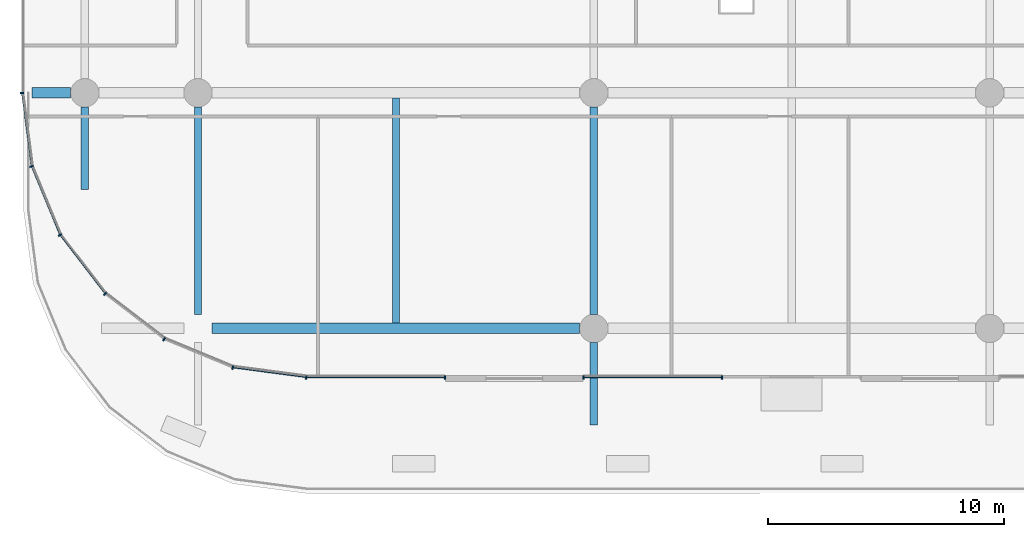
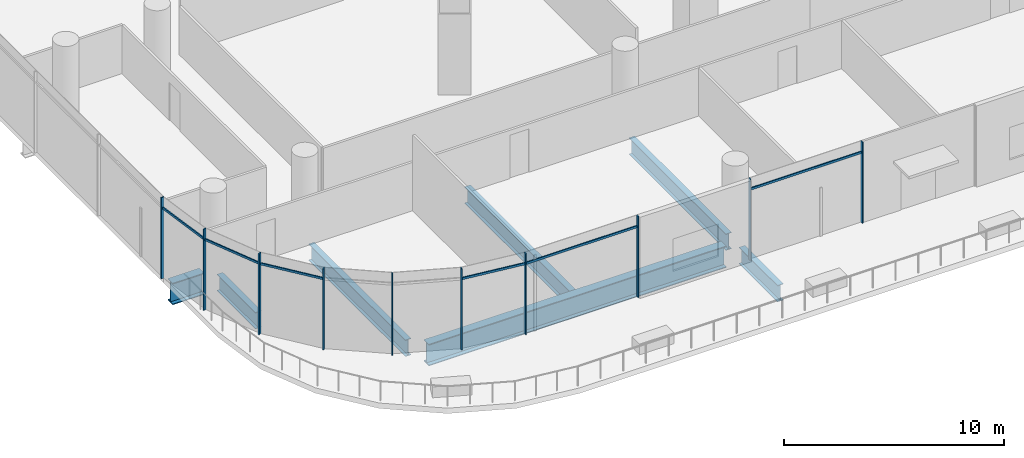
# One storey, part 2 of 43: 16 members, 7 beams, 1 element without a shape of its own.
"""IFC4 building model written with IfcOpenShell, lengths in metres."""

from ifc_helpers import new_model, si_unit, direction, frame, origin, origin_2d, place, context, subcontext, project, spatial, rectangle, i_section, extrude, material, material_profile, profile_set, type_object, element, aggregate, save


model = new_model("IFC4")

# Units and contexts
model_context = context("Model", 3, precision=1e-05, world=origin(), true_north=direction((0.0, 1.0)))
body_context = subcontext(model_context, "Body", "Model", "MODEL_VIEW")
ifc_project = project(units=[si_unit("LENGTHUNIT", "METRE"), si_unit("AREAUNIT", "SQUARE_METRE"), si_unit("VOLUMEUNIT", "CUBIC_METRE"), si_unit("PLANEANGLEUNIT", "RADIAN"), si_unit("MASSUNIT", "GRAM", prefix="KILO")], contexts=[model_context])

# Site, building, storey
site_placement = place(None, origin())
site = spatial("IfcSite", under=ifc_project, at=site_placement, CompositionType="ELEMENT")
building_placement = place(site_placement, origin())
building = spatial("IfcBuilding", under=site, at=building_placement, Name="Rimbun Link Towers", CompositionType="ELEMENT")
storey_placement = place(building_placement, frame((0.0, 0.0, 12.0)))
storey = spatial("IfcBuildingStorey", under=building, at=storey_placement, Name="L02", CompositionType="ELEMENT", Elevation=12.0)

# Curtain wall, members
ifc_material_1 = material(Name="Aluminium 6063-T6 and low-iron glass", Category="aluminium")
curtain_wall_type = type_object("IfcCurtainWallType", Name="CW3 podium shopfront", PredefinedType="NOTDEFINED", material=ifc_material_1)
curtain_wall_placement = place(storey_placement, origin())
curtain_wall = element("IfcCurtainWall", 1, at=curtain_wall_placement, inside=storey, type_object=curtain_wall_type, Name="CW3 L02 PD", PredefinedType="NOTDEFINED")
ifc_material_2 = material(Name="Aluminium 6063-T6", Category="aluminium")
ifc_material_profile_1 = material_profile(ifc_material_2, rectangle(XDim=0.14990234375, YDim=0.06005859375, at=origin_2d()), Name="MULLION 60X150")
ifc_profile_set_1 = profile_set([ifc_material_profile_1], Name="Aluminium 6063-T6")
member_type_1 = type_object("IfcMemberType", Name="CW3 mullion 60X150", PredefinedType="MULLION", material=ifc_profile_set_1)
member_1_placement = place(storey_placement, frame((-62.074951171875, -26.0048828125, 0.0), z_axis=(0.0, 0.0, 1.0), x_axis=(-0.997858781723, -0.065405288299, 0.0)))
member_1 = element("IfcMember", 2, at=member_1_placement, type_object=member_type_1, Name="CW3 mullion", PredefinedType="MULLION", context=body_context, shape_type="SweptSolid", body=[
    extrude(rectangle(XDim=0.14990234375, YDim=0.06005859375, at=origin_2d()), origin(), (0.0, 0.0, 1.0), 4.5),
])
member_2_placement = place(storey_placement, frame((-61.66357421875, -29.125244140625, 0.0), z_axis=(0.0, 0.0, 1.0), x_axis=(-0.965925910978, -0.258818729038, 0.0)))
member_2 = element("IfcMember", 3, at=member_2_placement, type_object=member_type_1, Name="CW3 mullion", PredefinedType="MULLION", context=body_context, shape_type="SweptSolid", body=[
    extrude(rectangle(XDim=0.14990234375, YDim=0.06005859375, at=origin_2d()), origin(), (0.0, 0.0, 1.0), 4.5),
])
member_3_placement = place(storey_placement, frame((-60.457275390625, -32.03759765625, 0.0), z_axis=(0.0, 0.0, 1.0), x_axis=(-0.866029040155, -0.499993701568, 0.0)))
member_3 = element("IfcMember", 4, at=member_3_placement, type_object=member_type_1, Name="CW3 mullion", PredefinedType="MULLION", context=body_context, shape_type="SweptSolid", body=[
    extrude(rectangle(XDim=0.14990234375, YDim=0.06005859375, at=origin_2d()), origin(), (0.0, 0.0, 1.0), 4.5),
])
member_4_placement = place(storey_placement, frame((-58.538330078125, -34.538330078125, 0.0), z_axis=(0.0, 0.0, 1.0), x_axis=(-0.707106781187, -0.707106781187, 0.0)))
member_4 = element("IfcMember", 5, at=member_4_placement, type_object=member_type_1, Name="CW3 mullion", PredefinedType="MULLION", context=body_context, shape_type="SweptSolid", body=[
    extrude(rectangle(XDim=0.14990234375, YDim=0.06005859375, at=origin_2d()), origin(), (0.0, 0.0, 1.0), 4.5),
])
member_5_placement = place(storey_placement, frame((-56.03759765625, -36.457275390625, 0.0), z_axis=(0.0, 0.0, 1.0), x_axis=(-0.499993701568, -0.866029040155, 0.0)))
member_5 = element("IfcMember", 6, at=member_5_placement, type_object=member_type_1, Name="CW3 mullion", PredefinedType="MULLION", context=body_context, shape_type="SweptSolid", body=[
    extrude(rectangle(XDim=0.14990234375, YDim=0.06005859375, at=origin_2d()), origin(), (0.0, 0.0, 1.0), 4.5),
])
member_6_placement = place(storey_placement, frame((-53.125244140625, -37.66357421875, 0.0), z_axis=(0.0, 0.0, 1.0), x_axis=(-0.258818729038, -0.965925910978, 0.0)))
member_6 = element("IfcMember", 7, at=member_6_placement, type_object=member_type_1, Name="CW3 mullion", PredefinedType="MULLION", context=body_context, shape_type="SweptSolid", body=[
    extrude(rectangle(XDim=0.14990234375, YDim=0.06005859375, at=origin_2d()), origin(), (0.0, 0.0, 1.0), 4.5),
])
member_7_placement = place(storey_placement, frame((-50.0048828125, -38.074951171875, 0.0), z_axis=(0.0, 0.0, 1.0), x_axis=(-0.065405288299, -0.997858781723, 0.0)))
member_7 = element("IfcMember", 8, at=member_7_placement, type_object=member_type_1, Name="CW3 mullion", PredefinedType="MULLION", context=body_context, shape_type="SweptSolid", body=[
    extrude(rectangle(XDim=0.14990234375, YDim=0.06005859375, at=origin_2d()), origin(), (0.0, 0.0, 1.0), 4.5),
])
member_8_placement = place(storey_placement, frame((-44.11767578125, -38.074951171875, 0.0), z_axis=(0.0, 0.0, 1.0), x_axis=(0.0, -1.0, 0.0)))
member_8 = element("IfcMember", 9, at=member_8_placement, type_object=member_type_1, Name="CW3 mullion", PredefinedType="MULLION", context=body_context, shape_type="SweptSolid", body=[
    extrude(rectangle(XDim=0.14990234375, YDim=0.06005859375, at=origin_2d()), origin(), (0.0, 0.0, 1.0), 4.5),
])
member_9_placement = place(storey_placement, frame((-38.2353515625, -38.074951171875, 0.0), z_axis=(0.0, 0.0, 1.0), x_axis=(0.0, -1.0, 0.0)))
member_9 = element("IfcMember", 10, at=member_9_placement, type_object=member_type_1, Name="CW3 mullion", PredefinedType="MULLION", context=body_context, shape_type="SweptSolid", body=[
    extrude(rectangle(XDim=0.14990234375, YDim=0.06005859375, at=origin_2d()), origin(), (0.0, 0.0, 1.0), 4.5),
])
member_10_placement = place(storey_placement, frame((-32.35302734375, -38.074951171875, 0.0), z_axis=(0.0, 0.0, 1.0), x_axis=(0.0, -1.0, 0.0)))
member_10 = element("IfcMember", 11, at=member_10_placement, type_object=member_type_1, Name="CW3 mullion", PredefinedType="MULLION", context=body_context, shape_type="SweptSolid", body=[
    extrude(rectangle(XDim=0.14990234375, YDim=0.06005859375, at=origin_2d()), origin(), (0.0, 0.0, 1.0), 4.5),
])
ifc_material_3 = material(Name="Aluminium 6063-T6", Category="aluminium")
ifc_material_profile_2 = material_profile(ifc_material_3, rectangle(XDim=0.06005859375, YDim=0.1201171875, at=origin_2d()), Name="TRANSOM 60X120")
ifc_profile_set_2 = profile_set([ifc_material_profile_2], Name="Aluminium 6063-T6")
member_type_2 = type_object("IfcMemberType", Name="CW3 transom 60X120", PredefinedType="USERDEFINED", material=ifc_profile_set_2)
member_11_placement = place(storey_placement, frame((-61.6484375, -29.0830078125, 3.89990234375), z_axis=(-0.130555231638, 0.991441037829, 0.0), x_axis=(-0.991441037829, -0.130555231638, 0.0)))
member_11 = element("IfcMember", 12, at=member_11_placement, type_object=member_type_2, Name="CW3 transom", ObjectType="TRANSOM", PredefinedType="USERDEFINED", context=body_context, shape_type="SweptSolid", body=[
    extrude(rectangle(XDim=0.06005859375, YDim=0.1201171875, at=origin_2d()), origin(), (0.0, 0.0, 1.0), 3.072509765625),
])
member_12_placement = place(storey_placement, frame((-60.45361328125, -31.992919921875, 3.89990234375), z_axis=(-0.382679289053, 0.923881248716, 0.0), x_axis=(-0.923881248716, -0.382679289053, 0.0)))
member_12 = element("IfcMember", 13, at=member_12_placement, type_object=member_type_2, Name="CW3 transom", ObjectType="TRANSOM", PredefinedType="USERDEFINED", context=body_context, shape_type="SweptSolid", body=[
    extrude(rectangle(XDim=0.06005859375, YDim=0.1201171875, at=origin_2d()), origin(), (0.0, 0.0, 1.0), 3.072509765625),
])
member_13_placement = place(storey_placement, frame((-58.54638671875, -34.494384765625, 3.89990234375), z_axis=(-0.608773432314, 0.793344129687, 0.0), x_axis=(-0.793344129687, -0.608773432314, 0.0)))
member_13 = element("IfcMember", 14, at=member_13_placement, type_object=member_type_2, Name="CW3 transom", ObjectType="TRANSOM", PredefinedType="USERDEFINED", context=body_context, shape_type="SweptSolid", body=[
    extrude(rectangle(XDim=0.06005859375, YDim=0.1201171875, at=origin_2d()), origin(), (0.0, 0.0, 1.0), 3.07275390625),
])
member_14_placement = place(storey_placement, frame((-50.036865234375, -38.049560546875, 3.89990234375), z_axis=(-0.991441037829, 0.130555231638, 0.0), x_axis=(-0.130555231638, -0.991441037829, 0.0)))
member_14 = element("IfcMember", 15, at=member_14_placement, type_object=member_type_2, Name="CW3 transom", ObjectType="TRANSOM", PredefinedType="USERDEFINED", context=body_context, shape_type="SweptSolid", body=[
    extrude(rectangle(XDim=0.06005859375, YDim=0.1201171875, at=origin_2d()), origin(), (0.0, 0.0, 1.0), 3.072509765625),
])
member_15_placement = place(storey_placement, frame((-44.147705078125, -38.053955078125, 3.89990234375), z_axis=(-1.0, 0.0, 0.0), x_axis=(0.0, -1.0, 0.0)))
member_15 = element("IfcMember", 16, at=member_15_placement, type_object=member_type_2, Name="CW3 transom", ObjectType="TRANSOM", PredefinedType="USERDEFINED", context=body_context, shape_type="SweptSolid", body=[
    extrude(rectangle(XDim=0.06005859375, YDim=0.1201171875, at=origin_2d()), origin(), (0.0, 0.0, 1.0), 5.822265625),
])
member_16_placement = place(storey_placement, frame((-32.383056640625, -38.053955078125, 3.89990234375), z_axis=(-1.0, 0.0, 0.0), x_axis=(0.0, -1.0, 0.0)))
member_16 = element("IfcMember", 17, at=member_16_placement, type_object=member_type_2, Name="CW3 transom", ObjectType="TRANSOM", PredefinedType="USERDEFINED", context=body_context, shape_type="SweptSolid", body=[
    extrude(rectangle(XDim=0.06005859375, YDim=0.1201171875, at=origin_2d()), origin(), (0.0, 0.0, 1.0), 5.822265625),
])
aggregate(curtain_wall, [member_1, member_2, member_3, member_4, member_5, member_6, member_7, member_8, member_9, member_10, member_11, member_12, member_13, member_14, member_15, member_16])

# Beams
ifc_material_4 = material(Name="Steel S355J2", Category="steel")
ifc_material_profile_3 = material_profile(ifc_material_4, i_section(OverallWidth=0.449951171875, OverallDepth=1.199951171875, WebThickness=0.030029296875, FlangeThickness=0.044921875, at=origin_2d()), Name="PG 1200x450x30/45")
ifc_profile_set_3 = profile_set([ifc_material_profile_3], Name="Steel S355J2")
beam_type_1 = type_object("IfcBeamType", Name="PG 1200x450x30/45", PredefinedType="BEAM", material=ifc_profile_set_3)
beam_1_placement = place(storey_placement, frame((-54.0, -36.0, -0.89990234375), z_axis=(1.0, 0.0, 0.0), x_axis=(0.0, 1.0, 0.0)))
element("IfcBeam", 18, at=beam_1_placement, inside=storey, type_object=beam_type_1, Name="Grid beam L02 -36.0", PredefinedType="BEAM", context=body_context, shape_type="SweptSolid", body=[
    extrude(i_section(OverallWidth=0.449951171875, OverallDepth=1.199951171875, WebThickness=0.030029296875, FlangeThickness=0.044921875, at=origin_2d()), origin(), (0.0, 0.0, 1.0), 15.60009765625),
])
beam_2_placement = place(storey_placement, frame((-61.649169921875, -26.0, -0.89990234375), z_axis=(1.0, 0.0, 0.0), x_axis=(0.0, 1.0, 0.0)))
element("IfcBeam", 19, at=beam_2_placement, inside=storey, type_object=beam_type_1, Name="Grid beam L02 -26.0", PredefinedType="BEAM", context=body_context, shape_type="SweptSolid", body=[
    extrude(i_section(OverallWidth=0.449951171875, OverallDepth=1.199951171875, WebThickness=0.030029296875, FlangeThickness=0.044921875, at=origin_2d()), origin(), (0.0, 0.0, 1.0), 1.649169921875),
])
ifc_material_5 = material(Name="Steel S355J2", Category="steel")
ifc_material_profile_4 = material_profile(ifc_material_5, i_section(OverallWidth=0.305419921875, OverallDepth=0.91845703125, WebThickness=0.017333984375, FlangeThickness=0.02783203125, at=origin_2d()), Name="UB 914x305x253")
ifc_profile_set_4 = profile_set([ifc_material_profile_4], Name="Steel S355J2")
beam_type_2 = type_object("IfcBeamType", Name="UB 914x305x253", PredefinedType="BEAM", material=ifc_profile_set_4)
beam_3_placement = place(storey_placement, frame((-59.39990234375, -30.10009765625, -0.75927734375), z_axis=(0.0, 1.0, 0.0), x_axis=(-1.0, 0.0, 0.0)))
element("IfcBeam", 20, at=beam_3_placement, inside=storey, type_object=beam_type_2, Name="Grid beam L02 -59.4", PredefinedType="BEAM", context=body_context, shape_type="SweptSolid", body=[
    extrude(i_section(OverallWidth=0.305419921875, OverallDepth=0.91845703125, WebThickness=0.017333984375, FlangeThickness=0.02783203125, at=origin_2d()), origin(), (0.0, 0.0, 1.0), 3.5),
])
beam_4_placement = place(storey_placement, frame((-54.60009765625, -35.39990234375, -0.75927734375), z_axis=(0.0, 1.0, 0.0), x_axis=(-1.0, 0.0, 0.0)))
element("IfcBeam", 21, at=beam_4_placement, inside=storey, type_object=beam_type_2, Name="Grid beam L02 -54.6", PredefinedType="BEAM", context=body_context, shape_type="SweptSolid", body=[
    extrude(i_section(OverallWidth=0.305419921875, OverallDepth=0.91845703125, WebThickness=0.017333984375, FlangeThickness=0.02783203125, at=origin_2d()), origin(), (0.0, 0.0, 1.0), 8.7998046875),
])
beam_5_placement = place(storey_placement, frame((-46.199951171875, -35.77490234375, -0.75927734375), z_axis=(0.0, 1.0, 0.0), x_axis=(-1.0, 0.0, 0.0)))
element("IfcBeam", 22, at=beam_5_placement, inside=storey, type_object=beam_type_2, Name="Grid beam L02 -46.2", PredefinedType="BEAM", context=body_context, shape_type="SweptSolid", body=[
    extrude(i_section(OverallWidth=0.305419921875, OverallDepth=0.91845703125, WebThickness=0.017333984375, FlangeThickness=0.02783203125, at=origin_2d()), origin(), (0.0, 0.0, 1.0), 9.5498046875),
])
beam_6_placement = place(storey_placement, frame((-37.800048828125, -40.10009765625, -0.75927734375), z_axis=(0.0, 1.0, 0.0), x_axis=(-1.0, 0.0, 0.0)))
element("IfcBeam", 23, at=beam_6_placement, inside=storey, type_object=beam_type_2, Name="Grid beam L02 -37.8", PredefinedType="BEAM", context=body_context, shape_type="SweptSolid", body=[
    extrude(i_section(OverallWidth=0.305419921875, OverallDepth=0.91845703125, WebThickness=0.017333984375, FlangeThickness=0.02783203125, at=origin_2d()), origin(), (0.0, 0.0, 1.0), 3.5),
])
beam_7_placement = place(storey_placement, frame((-37.800048828125, -35.39990234375, -0.75927734375), z_axis=(0.0, 1.0, 0.0), x_axis=(-1.0, 0.0, 0.0)))
element("IfcBeam", 24, at=beam_7_placement, inside=storey, type_object=beam_type_2, Name="Grid beam L02 -37.8", PredefinedType="BEAM", context=body_context, shape_type="SweptSolid", body=[
    extrude(i_section(OverallWidth=0.305419921875, OverallDepth=0.91845703125, WebThickness=0.017333984375, FlangeThickness=0.02783203125, at=origin_2d()), origin(), (0.0, 0.0, 1.0), 8.7998046875),
])

save(model, "model.ifc")
